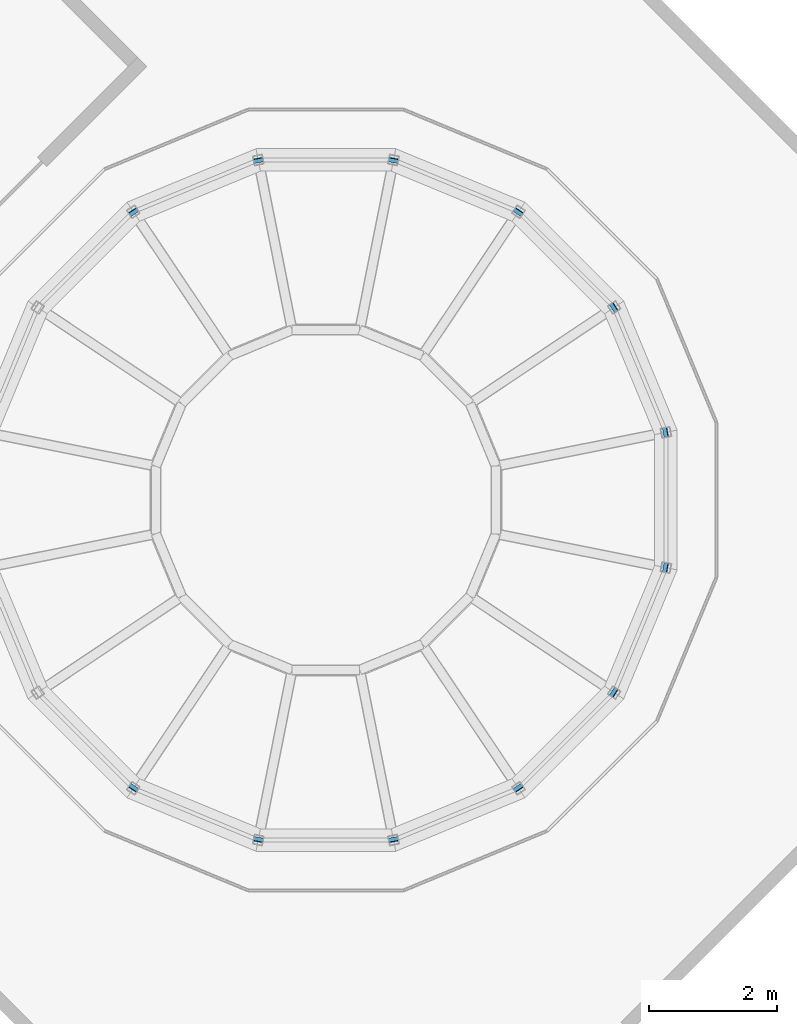
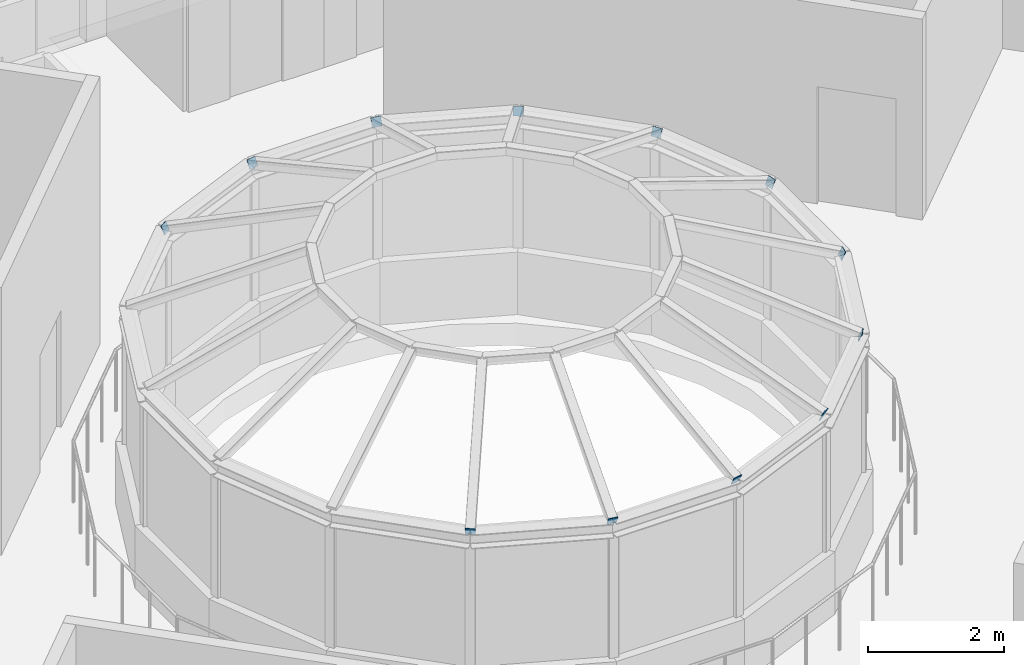
# One storey, part 25 of 32: 12 discrete accessories, 12 elements without a shape of their own.
"""IFC4 building model written with IfcOpenShell, lengths in metres."""

import ifcopenshell
import ifcopenshell.guid

model = None  # the IFC model being written
_history = None  # IfcOwnerHistory: only IFC2X3 demands one
_inside = {}  # id of a spatial element -> (the spatial element, [elements in it])
_under = {}  # id of a project, library or spatial element -> (it, [spatial elements below it])
_declared = {}  # id of a project -> (the project, [libraries it declares])
_typed = {}  # id of a type object -> (the type object, [elements of that type])
_made_of = {}  # id of a material, layer set ... -> (it, [elements and type objects made of it])


def new_model(schema):
    """Start an empty IFC model of exactly this schema.

    Asked for "IFC4X3", IfcOpenShell would pick the latest addendum, in which some entities
    have other attributes; the version numbers below select the first issue.
    IFC2X3 requires an IfcOwnerHistory on every rooted entity: one is made here for all.
    """
    global model, _history
    if schema == "IFC4X3":
        model = ifcopenshell.file(schema_version=(4, 3, 0, 0))
    else:
        model = ifcopenshell.file(schema=schema)
    _inside.clear()
    _under.clear()
    _declared.clear()
    _typed.clear()
    _made_of.clear()
    _history = None
    if model.schema == "IFC2X3":
        org = make("IfcOrganization", Name="unknown")
        user = make(
            "IfcPersonAndOrganization",
            ThePerson=make("IfcPerson", FamilyName="unknown"),
            TheOrganization=org,
        )
        app = make(
            "IfcApplication",
            ApplicationDeveloper=org,
            Version="unknown",
            ApplicationFullName="unknown",
            ApplicationIdentifier="unknown",
        )
        _history = make(
            "IfcOwnerHistory",
            OwningUser=user,
            OwningApplication=app,
            ChangeAction="ADDED",
            CreationDate=0,
        )
    return model


def make(cls, **values):
    """One entity of the class cls with the attributes given. An attribute that is None is left unset."""
    return model.create_entity(
        cls, **{name: value for name, value in values.items() if value is not None}
    )


def rooted(cls, **values):
    """An entity with a GlobalId (a new one), such as an element, a storey or a relation."""
    return make(cls, GlobalId=ifcopenshell.guid.new(), OwnerHistory=_history, **values)


def si_unit(unit_type, name, prefix=None):
    """IfcSIUnit, for example si_unit("LENGTHUNIT", "METRE", prefix="MILLI")."""
    return make("IfcSIUnit", UnitType=unit_type, Prefix=prefix, Name=name)


def assignment(units):
    """IfcUnitAssignment: the units of a project."""
    return None if units is None else make("IfcUnitAssignment", Units=units)


def point(xyz):
    """IfcCartesianPoint."""
    return None if xyz is None else make("IfcCartesianPoint", Coordinates=xyz)


def direction(xyz):
    """IfcDirection."""
    return None if xyz is None else make("IfcDirection", DirectionRatios=xyz)


def frame(location, z_axis=None, x_axis=None):
    """IfcAxis2Placement3D, a coordinate frame: its origin and axes. An axis left out is left unset."""
    return make(
        "IfcAxis2Placement3D",
        Location=point(location),
        Axis=direction(z_axis),
        RefDirection=direction(x_axis),
    )


def frame_2d(location, x_axis=None):
    """IfcAxis2Placement2D, a coordinate frame in the plane: its origin and x axis."""
    return make(
        "IfcAxis2Placement2D", Location=point(location), RefDirection=direction(x_axis)
    )


def origin():
    """The frame at (0, 0, 0) with its axes left unset."""
    return frame((0.0, 0.0, 0.0))


def origin_2d():
    """The frame at (0, 0) in the plane with its x axis left unset."""
    return frame_2d((0.0, 0.0))


def place(relative_to, where):
    """IfcLocalPlacement: puts the frame where relative to a parent placement (None: the world)."""
    return make(
        "IfcLocalPlacement", PlacementRelTo=relative_to, RelativePlacement=where
    )


def context(
    kind, dimensions, precision=None, world=None, true_north=None, identifier=None
):
    """IfcGeometricRepresentationContext, for example the 3D "Model" context."""
    return make(
        "IfcGeometricRepresentationContext",
        ContextIdentifier=identifier,
        ContextType=kind,
        CoordinateSpaceDimension=dimensions,
        Precision=precision,
        WorldCoordinateSystem=world,
        TrueNorth=true_north,
    )


def subcontext(parent, identifier, kind, view, scale=None):
    """IfcGeometricRepresentationSubContext, for example "Body" below "Model"."""
    return make(
        "IfcGeometricRepresentationSubContext",
        ContextIdentifier=identifier,
        ContextType=kind,
        ParentContext=parent,
        TargetScale=scale,
        TargetView=view,
    )


def project(units=None, contexts=None):
    """IfcProject with its units and contexts."""
    return rooted(
        "IfcProject",
        Name="project",
        RepresentationContexts=contexts,
        UnitsInContext=assignment(units),
    )


def spatial(cls, under=None, at=None, **own):
    """A site, building, storey or space (cls), placed at a placement, below another one or the project."""
    s = rooted(cls, ObjectPlacement=at, **own)
    if under is not None:
        _under.setdefault(under.id(), (under, []))[1].append(s)
    return s


def profile(cls, at=None, kind="AREA", **sizes):
    """A parametric profile (cls). Its sizes go by their IFC names, for example OverallWidth=200.0."""
    return make(cls, ProfileType=kind, Position=at, **sizes)


def rectangle(**sizes):
    """IfcRectangleProfileDef."""
    return profile("IfcRectangleProfileDef", **sizes)


def extrude(swept, where, along, depth):
    """IfcExtrudedAreaSolid: the profile swept, set in the frame where, extruded along a direction by depth."""
    return make(
        "IfcExtrudedAreaSolid",
        SweptArea=swept,
        Position=where,
        ExtrudedDirection=direction(along),
        Depth=depth,
    )


def shape(context_of_items, identifier, shape_type, items):
    """IfcShapeRepresentation: the items that make up one representation, for example the "Body"."""
    return make(
        "IfcShapeRepresentation",
        ContextOfItems=context_of_items,
        RepresentationIdentifier=identifier,
        RepresentationType=shape_type,
        Items=items,
    )


def material(Name=None, Category=None):
    """IfcMaterial."""
    return make("IfcMaterial", Name=Name, Category=Category)


def layer(
    of_material, thickness, ventilated=None, Name=None, Category=None, Priority=None
):
    """IfcMaterialLayer: one layer of a wall or slab, of a material (None: an air gap)."""
    return make(
        "IfcMaterialLayer",
        Material=of_material,
        LayerThickness=thickness,
        IsVentilated=ventilated,
        Name=Name,
        Category=Category,
        Priority=Priority,
    )


def layer_set(layers, Name=None):
    """IfcMaterialLayerSet."""
    return make("IfcMaterialLayerSet", MaterialLayers=layers, LayerSetName=Name)


def made_of(thing, what):
    """Note that an element or type object is made of a material, layer set ...; save() writes the relation."""
    if what is not None:
        _made_of.setdefault(what.id(), (what, []))[1].append(thing)
    return thing


def type_object(cls, material=None, **own):
    """A type object (cls), such as IfcWallType, which elements share."""
    return made_of(rooted(cls, **own), material)


def element(
    cls,
    number,
    at=None,
    inside=None,
    cuts=None,
    type_object=None,
    material=None,
    context=None,
    identifier="Body",
    shape_type=None,
    held_by="IfcProductDefinitionShape",
    body=None,
    shapes=None,
    **own,
):
    """One element of the class cls, such as IfcWall. Its Tag is "e" and its number.

    at: its placement. inside: the storey or other place that contains it. cuts: it is an
    opening in that element (IfcRelVoidsElement). A single representation is given by context,
    identifier, shape_type and body (its items); several are given by shapes. held_by: the class
    of the entity that holds the representations. save() writes the other relations.
    """
    e = rooted(cls, Tag="e%d" % number, ObjectPlacement=at, **own)
    if body is not None:
        shapes = [shape(context, identifier, shape_type, body)]
    if shapes is not None:
        e.Representation = make(held_by, Representations=shapes)
    if inside is not None:
        _inside.setdefault(inside.id(), (inside, []))[1].append(e)
    if cuts is not None:
        rooted(
            "IfcRelVoidsElement", RelatingBuildingElement=cuts, RelatedOpeningElement=e
        )
    if type_object is not None:
        _typed.setdefault(type_object.id(), (type_object, []))[1].append(e)
    return made_of(e, material)


def aggregate(whole, parts):
    """IfcRelAggregates: a whole, such as a stair, and the parts it consists of."""
    return rooted("IfcRelAggregates", RelatingObject=whole, RelatedObjects=parts)


def save(model, path):
    """Write the relations noted so far, then the file.

    IfcRelAggregates (storeys below a building ...), IfcRelContainedInSpatialStructure (elements
    in a storey), IfcRelDefinesByType, IfcRelAssociatesMaterial and IfcRelDeclares: one each for
    every whole, place, type object, material and project.
    """
    for whole, parts in _under.values():
        aggregate(whole, parts)
    for where, things in _inside.values():
        rooted(
            "IfcRelContainedInSpatialStructure",
            RelatedElements=things,
            RelatingStructure=where,
        )
    for kind, things in _typed.values():
        rooted("IfcRelDefinesByType", RelatedObjects=things, RelatingType=kind)
    for what, things in _made_of.values():
        rooted("IfcRelAssociatesMaterial", RelatedObjects=things, RelatingMaterial=what)
    for by, libraries in _declared.values():
        rooted("IfcRelDeclares", RelatingContext=by, RelatedDefinitions=libraries)
    model.write(path)


model = new_model("IFC4")

# Units and contexts
model_context = context("Model", 3, precision=1e-05, world=origin(), true_north=direction((0.0, 1.0)))
body_context = subcontext(model_context, "Body", "Model", "MODEL_VIEW")
ifc_project = project(units=[si_unit("LENGTHUNIT", "METRE"), si_unit("AREAUNIT", "SQUARE_METRE"), si_unit("VOLUMEUNIT", "CUBIC_METRE"), si_unit("PLANEANGLEUNIT", "RADIAN"), si_unit("MASSUNIT", "GRAM", prefix="KILO")], contexts=[model_context])

# Site, building, storey
site_placement = place(None, origin())
site = spatial("IfcSite", under=ifc_project, at=site_placement, CompositionType="ELEMENT")
building_placement = place(site_placement, origin())
building = spatial("IfcBuilding", under=site, at=building_placement, Name="Verdalira Terraces Hotel", CompositionType="ELEMENT")
storey_placement = place(building_placement, frame((0.0, 0.0, 315.0)))
storey = spatial("IfcBuildingStorey", under=building, at=storey_placement, Name="L78", CompositionType="ELEMENT", Elevation=315.0)

# Curtain wall, discrete accessory
ifc_material = material(Name="Clear laminated glass", Category="glass")
ifc_layer = layer(ifc_material, 0.14990234375)
ifc_layer_set = layer_set([ifc_layer], Name="Atrium lantern curtain wall")
curtain_wall_type = type_object("IfcCurtainWallType", Name="Atrium lantern curtain wall", PredefinedType="NOTDEFINED", material=ifc_layer_set)
curtain_wall_1_placement = place(storey_placement, origin())
curtain_wall_1 = element("IfcCurtainWall", 1, at=curtain_wall_1_placement, inside=storey, type_object=curtain_wall_type, Name="Atrium lantern curtain wall facet 1", PredefinedType="NOTDEFINED")
discrete_accessory_1_placement = place(storey_placement, frame((5.296143, 1.053467, 3.526611), z_axis=(-0.898146239, -0.163299316, 0.40824829), x_axis=(0.178885438, -0.98386991, 0.0)))
discrete_accessory_1 = element("IfcDiscreteAccessory", 2, at=discrete_accessory_1_placement, Name="End cap plate", PredefinedType="ANCHORPLATE", context=body_context, shape_type="SweptSolid", body=[
    extrude(rectangle(XDim=0.152344, YDim=0.152344, at=origin_2d()), origin(), (0.0, 0.0, 1.0), 0.011963),
])
aggregate(curtain_wall_1, [discrete_accessory_1])

curtain_wall_2_placement = place(storey_placement, origin())
curtain_wall_2 = element("IfcCurtainWall", 3, at=curtain_wall_2_placement, inside=storey, type_object=curtain_wall_type, Name="Atrium lantern curtain wall facet 2", PredefinedType="NOTDEFINED")
discrete_accessory_2_placement = place(storey_placement, frame((4.48999, 3.0, 3.526611), z_axis=(-0.764756279, -0.503129131, 0.402503305), x_axis=(0.549616501, -0.835417082, 0.0)))
discrete_accessory_2 = element("IfcDiscreteAccessory", 4, at=discrete_accessory_2_placement, Name="End cap plate", PredefinedType="ANCHORPLATE", context=body_context, shape_type="SweptSolid", body=[
    extrude(rectangle(XDim=0.152344, YDim=0.152344, at=origin_2d()), origin(), (0.0, 0.0, 1.0), 0.012207),
])
aggregate(curtain_wall_2, [discrete_accessory_2])

curtain_wall_3_placement = place(storey_placement, origin())
curtain_wall_3 = element("IfcCurtainWall", 5, at=curtain_wall_3_placement, inside=storey, type_object=curtain_wall_type, Name="Atrium lantern curtain wall facet 3", PredefinedType="NOTDEFINED")
discrete_accessory_3_placement = place(storey_placement, frame((3.0, 4.48999, 3.526611), z_axis=(-0.503129131, -0.764756279, 0.402503305), x_axis=(0.835417082, -0.549616501, 0.0)))
discrete_accessory_3 = element("IfcDiscreteAccessory", 6, at=discrete_accessory_3_placement, Name="End cap plate", PredefinedType="ANCHORPLATE", context=body_context, shape_type="SweptSolid", body=[
    extrude(rectangle(XDim=0.152344, YDim=0.152344, at=origin_2d()), origin(), (0.0, 0.0, 1.0), 0.012207),
])
aggregate(curtain_wall_3, [discrete_accessory_3])

curtain_wall_4_placement = place(storey_placement, origin())
curtain_wall_4 = element("IfcCurtainWall", 7, at=curtain_wall_4_placement, inside=storey, type_object=curtain_wall_type, Name="Atrium lantern curtain wall facet 4", PredefinedType="NOTDEFINED")
discrete_accessory_4_placement = place(storey_placement, frame((1.053467, 5.296143, 3.526611), z_axis=(-0.163299316, -0.898146239, 0.40824829), x_axis=(0.98386991, -0.178885438, 0.0)))
discrete_accessory_4 = element("IfcDiscreteAccessory", 8, at=discrete_accessory_4_placement, Name="End cap plate", PredefinedType="ANCHORPLATE", context=body_context, shape_type="SweptSolid", body=[
    extrude(rectangle(XDim=0.152344, YDim=0.152344, at=origin_2d()), origin(), (0.0, 0.0, 1.0), 0.011963),
])
aggregate(curtain_wall_4, [discrete_accessory_4])

curtain_wall_5_placement = place(storey_placement, origin())
curtain_wall_5 = element("IfcCurtainWall", 9, at=curtain_wall_5_placement, inside=storey, type_object=curtain_wall_type, Name="Atrium lantern curtain wall facet 5", PredefinedType="NOTDEFINED")
discrete_accessory_5_placement = place(storey_placement, frame((-1.053467, 5.296143, 3.526611), z_axis=(0.163299316, -0.898146239, 0.40824829), x_axis=(0.98386991, 0.178885438, 0.0)))
discrete_accessory_5 = element("IfcDiscreteAccessory", 10, at=discrete_accessory_5_placement, Name="End cap plate", PredefinedType="ANCHORPLATE", context=body_context, shape_type="SweptSolid", body=[
    extrude(rectangle(XDim=0.152344, YDim=0.152344, at=origin_2d()), origin(), (0.0, 0.0, 1.0), 0.011963),
])
aggregate(curtain_wall_5, [discrete_accessory_5])

curtain_wall_6_placement = place(storey_placement, origin())
curtain_wall_6 = element("IfcCurtainWall", 11, at=curtain_wall_6_placement, inside=storey, type_object=curtain_wall_type, Name="Atrium lantern curtain wall facet 6", PredefinedType="NOTDEFINED")
discrete_accessory_6_placement = place(storey_placement, frame((-3.0, 4.48999, 3.526611), z_axis=(0.503129131, -0.764756279, 0.402503305), x_axis=(0.835417082, 0.549616501, 0.0)))
discrete_accessory_6 = element("IfcDiscreteAccessory", 12, at=discrete_accessory_6_placement, Name="End cap plate", PredefinedType="ANCHORPLATE", context=body_context, shape_type="SweptSolid", body=[
    extrude(rectangle(XDim=0.152344, YDim=0.152344, at=origin_2d()), origin(), (0.0, 0.0, 1.0), 0.012207),
])
aggregate(curtain_wall_6, [discrete_accessory_6])

curtain_wall_7_placement = place(storey_placement, origin())
curtain_wall_7 = element("IfcCurtainWall", 13, at=curtain_wall_7_placement, inside=storey, type_object=curtain_wall_type, Name="Atrium lantern curtain wall facet 11", PredefinedType="NOTDEFINED")
discrete_accessory_7_placement = place(storey_placement, frame((-3.0, -4.48999, 3.526611), z_axis=(0.503129131, 0.764756279, 0.402503305), x_axis=(-0.835417082, 0.549616501, 0.0)))
discrete_accessory_7 = element("IfcDiscreteAccessory", 14, at=discrete_accessory_7_placement, Name="End cap plate", PredefinedType="ANCHORPLATE", context=body_context, shape_type="SweptSolid", body=[
    extrude(rectangle(XDim=0.152344, YDim=0.152344, at=origin_2d()), origin(), (0.0, 0.0, 1.0), 0.012207),
])
aggregate(curtain_wall_7, [discrete_accessory_7])

curtain_wall_8_placement = place(storey_placement, origin())
curtain_wall_8 = element("IfcCurtainWall", 15, at=curtain_wall_8_placement, inside=storey, type_object=curtain_wall_type, Name="Atrium lantern curtain wall facet 12", PredefinedType="NOTDEFINED")
discrete_accessory_8_placement = place(storey_placement, frame((-1.053467, -5.296143, 3.526611), z_axis=(0.163299316, 0.898146239, 0.40824829), x_axis=(-0.98386991, 0.178885438, 0.0)))
discrete_accessory_8 = element("IfcDiscreteAccessory", 16, at=discrete_accessory_8_placement, Name="End cap plate", PredefinedType="ANCHORPLATE", context=body_context, shape_type="SweptSolid", body=[
    extrude(rectangle(XDim=0.152344, YDim=0.152344, at=origin_2d()), origin(), (0.0, 0.0, 1.0), 0.011963),
])
aggregate(curtain_wall_8, [discrete_accessory_8])

curtain_wall_9_placement = place(storey_placement, origin())
curtain_wall_9 = element("IfcCurtainWall", 17, at=curtain_wall_9_placement, inside=storey, type_object=curtain_wall_type, Name="Atrium lantern curtain wall facet 13", PredefinedType="NOTDEFINED")
discrete_accessory_9_placement = place(storey_placement, frame((1.053467, -5.296143, 3.526611), z_axis=(-0.163299316, 0.898146239, 0.40824829), x_axis=(-0.98386991, -0.178885438, 0.0)))
discrete_accessory_9 = element("IfcDiscreteAccessory", 18, at=discrete_accessory_9_placement, Name="End cap plate", PredefinedType="ANCHORPLATE", context=body_context, shape_type="SweptSolid", body=[
    extrude(rectangle(XDim=0.152344, YDim=0.152344, at=origin_2d()), origin(), (0.0, 0.0, 1.0), 0.011963),
])
aggregate(curtain_wall_9, [discrete_accessory_9])

curtain_wall_10_placement = place(storey_placement, origin())
curtain_wall_10 = element("IfcCurtainWall", 19, at=curtain_wall_10_placement, inside=storey, type_object=curtain_wall_type, Name="Atrium lantern curtain wall facet 14", PredefinedType="NOTDEFINED")
discrete_accessory_10_placement = place(storey_placement, frame((3.0, -4.48999, 3.526611), z_axis=(-0.503129131, 0.764756279, 0.402503305), x_axis=(-0.835417082, -0.549616501, 0.0)))
discrete_accessory_10 = element("IfcDiscreteAccessory", 20, at=discrete_accessory_10_placement, Name="End cap plate", PredefinedType="ANCHORPLATE", context=body_context, shape_type="SweptSolid", body=[
    extrude(rectangle(XDim=0.152344, YDim=0.152344, at=origin_2d()), origin(), (0.0, 0.0, 1.0), 0.012207),
])
aggregate(curtain_wall_10, [discrete_accessory_10])

curtain_wall_11_placement = place(storey_placement, origin())
curtain_wall_11 = element("IfcCurtainWall", 21, at=curtain_wall_11_placement, inside=storey, type_object=curtain_wall_type, Name="Atrium lantern curtain wall facet 15", PredefinedType="NOTDEFINED")
discrete_accessory_11_placement = place(storey_placement, frame((4.48999, -3.0, 3.526611), z_axis=(-0.764756279, 0.503129131, 0.402503305), x_axis=(-0.549616501, -0.835417082, 0.0)))
discrete_accessory_11 = element("IfcDiscreteAccessory", 22, at=discrete_accessory_11_placement, Name="End cap plate", PredefinedType="ANCHORPLATE", context=body_context, shape_type="SweptSolid", body=[
    extrude(rectangle(XDim=0.152344, YDim=0.152344, at=origin_2d()), origin(), (0.0, 0.0, 1.0), 0.012207),
])
aggregate(curtain_wall_11, [discrete_accessory_11])

curtain_wall_12_placement = place(storey_placement, origin())
curtain_wall_12 = element("IfcCurtainWall", 23, at=curtain_wall_12_placement, inside=storey, type_object=curtain_wall_type, Name="Atrium lantern curtain wall facet 16", PredefinedType="NOTDEFINED")
discrete_accessory_12_placement = place(storey_placement, frame((5.296143, -1.053467, 3.526611), z_axis=(-0.898146239, 0.163299316, 0.40824829), x_axis=(-0.178885438, -0.98386991, 0.0)))
discrete_accessory_12 = element("IfcDiscreteAccessory", 24, at=discrete_accessory_12_placement, Name="End cap plate", PredefinedType="ANCHORPLATE", context=body_context, shape_type="SweptSolid", body=[
    extrude(rectangle(XDim=0.152344, YDim=0.152344, at=origin_2d()), origin(), (0.0, 0.0, 1.0), 0.011963),
])
aggregate(curtain_wall_12, [discrete_accessory_12])

save(model, "model.ifc")
